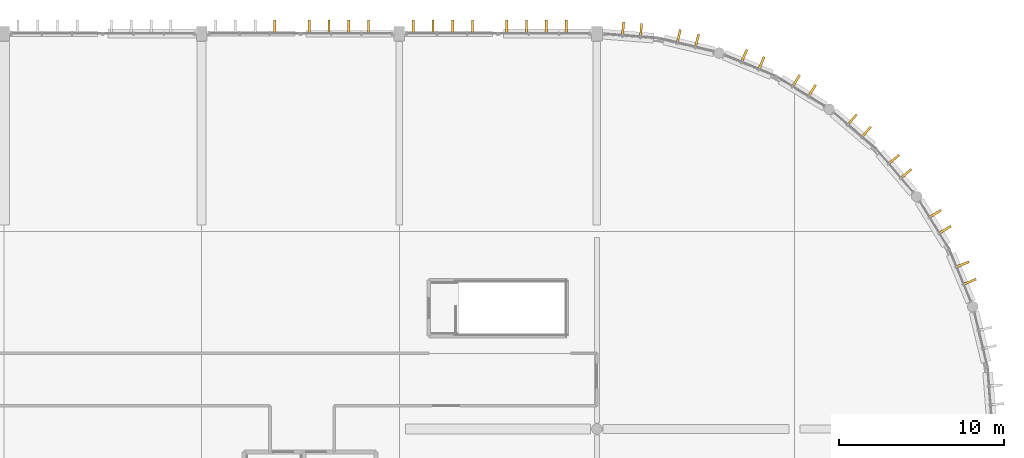
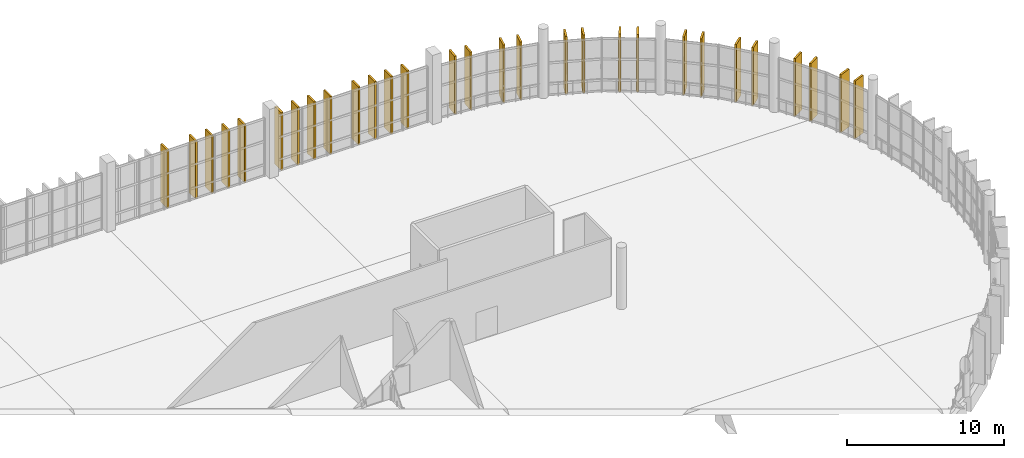
# One storey, part 112 of 112: 29 coverings.
"""IFC4 building model written with IfcOpenShell, lengths in metres."""

from ifc_helpers import new_model, si_unit, direction, frame, origin, origin_2d, place, context, subcontext, project, spatial, rectangle, extrude, material, layer, layer_set, type_object, element, save


model = new_model("IFC4")

# Units and contexts
model_context = context("Model", 3, precision=1e-05, world=origin(), true_north=direction((0.0, 1.0)))
body_context = subcontext(model_context, "Body", "Model", "MODEL_VIEW")
ifc_project = project(units=[si_unit("LENGTHUNIT", "METRE"), si_unit("AREAUNIT", "SQUARE_METRE"), si_unit("VOLUMEUNIT", "CUBIC_METRE"), si_unit("PLANEANGLEUNIT", "RADIAN"), si_unit("MASSUNIT", "GRAM", prefix="KILO")], contexts=[model_context])

# Site, building, storey
site_placement = place(None, origin())
site = spatial("IfcSite", under=ifc_project, at=site_placement, CompositionType="ELEMENT")
building_placement = place(site_placement, origin())
building = spatial("IfcBuilding", under=site, at=building_placement, Name="Kamomehara Wholesale Market", CompositionType="ELEMENT")
storey_placement = place(building_placement, frame((0.0, 0.0, 6.60009765625)))
storey = spatial("IfcBuildingStorey", under=building, at=storey_placement, Name="L01", CompositionType="ELEMENT", Elevation=6.60009765625)

# Coverings
ifc_material_1 = material(Name="Anodised aluminium 6063-T5 Spectrum Red", Category="aluminium")
ifc_layer_1 = layer(ifc_material_1, 0.134033203125)
ifc_layer_set_1 = layer_set([ifc_layer_1], Name="Anodised aluminium 6063-T5 Spectrum Red")
covering_type_1 = type_object("IfcCoveringType", Name="COV-CLD-01", PredefinedType="CLADDING", material=ifc_layer_set_1)
for number, where, z_axis, x_axis, name in (
    (1, (163.72998046875, 156.405029296875, 0.0), (0.0, 0.0, 1.0), (1.0, 0.0, 0.0), "Polychrome spectrum fin N 134"),
    (2, (172.449951171875, 156.405029296875, 0.0), (0.0, 0.0, 1.0), (1.0, 0.0, 0.0), "Polychrome spectrum fin N 148"),
    (3, (182.680908203125, 156.196044921875, 0.0), (0.0, 0.0, 1.0), (0.99692691188, -0.078337298714, 0.0), "Apse radial spectrum fin 162"),
    (4, (195.491943359375, 150.76611328125, 0.0), (0.0, 0.0, 1.0), (0.760553301114, -0.649275500974, 0.0), "Apse radial spectrum fin 169"),
    (5, (202.635009765625, 140.93505859375, 0.0), (0.0, 0.0, 1.0), (0.382570556331, -0.923926279217, 0.0), "Apse radial spectrum fin 176"),
):
    element("IfcCovering", number, at=place(storey_placement, frame(where, z_axis=z_axis, x_axis=x_axis)), inside=storey, type_object=covering_type_1, Name=name, PredefinedType="CLADDING", context=body_context, shape_type="SweptSolid", body=[
        extrude(rectangle(XDim=0.134033203125, YDim=0.85009765625, at=origin_2d()), origin(), (0.0, 0.0, 1.0), 4.5),
    ])
ifc_material_2 = material(Name="Anodised aluminium 6063-T5 Spectrum Orange", Category="aluminium")
ifc_layer_2 = layer(ifc_material_2, 0.135986328125)
ifc_layer_set_2 = layer_set([ifc_layer_2], Name="Anodised aluminium 6063-T5 Spectrum Orange")
covering_type_2 = type_object("IfcCoveringType", Name="COV-CLD-02", PredefinedType="CLADDING", material=ifc_layer_set_2)
for number, where, z_axis, x_axis, name in (
    (6, (164.929931640625, 156.405029296875, 0.0), (0.0, 0.0, 1.0), (1.0, 0.0, 0.0), "Polychrome spectrum fin N 135"),
    (7, (174.530029296875, 156.405029296875, 0.0), (0.0, 0.0, 1.0), (1.0, 0.0, 0.0), "Polychrome spectrum fin N 149"),
    (8, (184.967041015625, 155.830078125, 0.0), (0.0, 0.0, 1.0), (0.972321006389, -0.233649011414, 0.0), "Apse radial spectrum fin 163"),
    (9, (196.35888671875, 150.02490234375, 0.0), (0.0, 0.0, 1.0), (0.760553301114, -0.649275500974, 0.0), "Apse radial spectrum fin 170"),
):
    element("IfcCovering", number, at=place(storey_placement, frame(where, z_axis=z_axis, x_axis=x_axis)), inside=storey, type_object=covering_type_2, Name=name, PredefinedType="CLADDING", context=body_context, shape_type="SweptSolid", body=[
        extrude(rectangle(XDim=0.135986328125, YDim=0.85009765625, at=origin_2d()), origin(), (0.0, 0.0, 1.0), 4.5),
    ])
ifc_material_3 = material(Name="Anodised aluminium 6063-T5 Spectrum Amber", Category="aluminium")
ifc_layer_3 = layer(ifc_material_3, 0.137939453125)
ifc_layer_set_3 = layer_set([ifc_layer_3], Name="Anodised aluminium 6063-T5 Spectrum Amber")
covering_type_3 = type_object("IfcCoveringType", Name="COV-CLD-03", PredefinedType="CLADDING", material=ifc_layer_set_3)
for number, where, z_axis, x_axis, name in (
    (10, (166.1298828125, 156.405029296875, 0.0), (0.0, 0.0, 1.0), (1.0, 0.0, 0.0), "Polychrome spectrum fin N 136"),
    (11, (175.72998046875, 156.405029296875, 0.0), (0.0, 0.0, 1.0), (1.0, 0.0, 0.0), "Polychrome spectrum fin N 150"),
    (12, (186.075927734375, 155.56298828125, 0.0), (0.0, 0.0, 1.0), (0.972321006389, -0.233649011414, 0.0), "Apse radial spectrum fin 164"),
    (13, (198.02490234375, 148.35888671875, 0.0), (0.0, 0.0, 1.0), (0.649275500974, -0.760553301114, 0.0), "Apse radial spectrum fin 171"),
):
    element("IfcCovering", number, at=place(storey_placement, frame(where, z_axis=z_axis, x_axis=x_axis)), inside=storey, type_object=covering_type_3, Name=name, PredefinedType="CLADDING", context=body_context, shape_type="SweptSolid", body=[
        extrude(rectangle(XDim=0.137939453125, YDim=0.85009765625, at=origin_2d()), origin(), (0.0, 0.0, 1.0), 4.5),
    ])
ifc_material_4 = material(Name="Anodised aluminium 6063-T5 Spectrum Green", Category="aluminium")
ifc_layer_4 = layer(ifc_material_4, 0.139892578125)
ifc_layer_set_4 = layer_set([ifc_layer_4], Name="Anodised aluminium 6063-T5 Spectrum Green")
covering_type_4 = type_object("IfcCoveringType", Name="COV-CLD-04", PredefinedType="CLADDING", material=ifc_layer_set_4)
for number, where, z_axis, x_axis, name in (
    (14, (176.929931640625, 156.405029296875, 0.0), (0.0, 0.0, 1.0), (1.0, 0.0, 0.0), "Polychrome spectrum fin N 151"),
    (15, (188.93505859375, 154.635009765625, 0.0), (0.0, 0.0, 1.0), (0.923926279217, -0.382570556331, 0.0), "Apse radial spectrum fin 165"),
    (16, (198.76611328125, 147.491943359375, 0.0), (0.0, 0.0, 1.0), (0.649275500974, -0.760553301114, 0.0), "Apse radial spectrum fin 172"),
):
    element("IfcCovering", number, at=place(storey_placement, frame(where, z_axis=z_axis, x_axis=x_axis)), inside=storey, type_object=covering_type_4, Name=name, PredefinedType="CLADDING", context=body_context, shape_type="SweptSolid", body=[
        extrude(rectangle(XDim=0.139892578125, YDim=0.85009765625, at=origin_2d()), origin(), (0.0, 0.0, 1.0), 4.5),
    ])
ifc_material_5 = material(Name="Anodised aluminium 6063-T5 Spectrum Cyan", Category="aluminium")
ifc_layer_5 = layer(ifc_material_5, 0.14208984375)
ifc_layer_set_5 = layer_set([ifc_layer_5], Name="Anodised aluminium 6063-T5 Spectrum Cyan")
covering_type_5 = type_object("IfcCoveringType", Name="COV-CLD-05", PredefinedType="CLADDING", material=ifc_layer_set_5)
for number, where, z_axis, x_axis, name in (
    (17, (168.85009765625, 156.405029296875, 0.0), (0.0, 0.0, 1.0), (1.0, 0.0, 0.0), "Polychrome spectrum fin N 145"),
    (18, (178.1298828125, 156.405029296875, 0.0), (0.0, 0.0, 1.0), (1.0, 0.0, 0.0), "Polychrome spectrum fin N 152"),
    (19, (189.988037109375, 154.198974609375, 0.0), (0.0, 0.0, 1.0), (0.923926279217, -0.382570556331, 0.0), "Apse radial spectrum fin 166"),
    (20, (200.531982421875, 145.06103515625, 0.0), (0.0, 0.0, 1.0), (0.522558088955, -0.852603684995, 0.0), "Apse radial spectrum fin 173"),
):
    element("IfcCovering", number, at=place(storey_placement, frame(where, z_axis=z_axis, x_axis=x_axis)), inside=storey, type_object=covering_type_5, Name=name, PredefinedType="CLADDING", context=body_context, shape_type="SweptSolid", body=[
        extrude(rectangle(XDim=0.14208984375, YDim=0.85009765625, at=origin_2d()), origin(), (0.0, 0.0, 1.0), 4.5),
    ])
ifc_material_6 = material(Name="Anodised aluminium 6063-T5 Spectrum Blue", Category="aluminium")
ifc_layer_6 = layer(ifc_material_6, 0.14404296875)
ifc_layer_set_6 = layer_set([ifc_layer_6], Name="Anodised aluminium 6063-T5 Spectrum Blue")
covering_type_6 = type_object("IfcCoveringType", Name="COV-CLD-06", PredefinedType="CLADDING", material=ifc_layer_set_6)
for number, where, z_axis, x_axis, name in (
    (21, (160.449951171875, 156.405029296875, 0.0), (0.0, 0.0, 1.0), (1.0, 0.0, 0.0), "Polychrome spectrum fin N 132"),
    (22, (170.050048828125, 156.405029296875, 0.0), (0.0, 0.0, 1.0), (1.0, 0.0, 0.0), "Polychrome spectrum fin N 146"),
    (23, (192.089111328125, 153.1279296875, 0.0), (0.0, 0.0, 1.0), (0.852603684995, -0.522558088955, 0.0), "Apse radial spectrum fin 167"),
    (24, (201.1279296875, 144.089111328125, 0.0), (0.0, 0.0, 1.0), (0.522558088955, -0.852603684995, 0.0), "Apse radial spectrum fin 174"),
):
    element("IfcCovering", number, at=place(storey_placement, frame(where, z_axis=z_axis, x_axis=x_axis)), inside=storey, type_object=covering_type_6, Name=name, PredefinedType="CLADDING", context=body_context, shape_type="SweptSolid", body=[
        extrude(rectangle(XDim=0.14404296875, YDim=0.85009765625, at=origin_2d()), origin(), (0.0, 0.0, 1.0), 4.5),
    ])
ifc_material_7 = material(Name="Anodised aluminium 6063-T5 Spectrum Violet", Category="aluminium")
ifc_layer_7 = layer(ifc_material_7, 0.14599609375)
ifc_layer_set_7 = layer_set([ifc_layer_7], Name="Anodised aluminium 6063-T5 Spectrum Violet")
covering_type_7 = type_object("IfcCoveringType", Name="COV-CLD-07", PredefinedType="CLADDING", material=ifc_layer_set_7)
for number, where, z_axis, x_axis, name in (
    (25, (162.530029296875, 156.405029296875, 0.0), (0.0, 0.0, 1.0), (1.0, 0.0, 0.0), "Polychrome spectrum fin N 133"),
    (26, (171.25, 156.405029296875, 0.0), (0.0, 0.0, 1.0), (1.0, 0.0, 0.0), "Polychrome spectrum fin N 147"),
    (27, (181.5859375, 156.281982421875, 0.0), (0.0, 0.0, 1.0), (0.99692691188, -0.078337298714, 0.0), "Apse radial spectrum fin 161"),
    (28, (193.06103515625, 152.531982421875, 0.0), (0.0, 0.0, 1.0), (0.852603684995, -0.522558088955, 0.0), "Apse radial spectrum fin 168"),
    (29, (202.198974609375, 141.988037109375, 0.0), (0.0, 0.0, 1.0), (0.382570556331, -0.923926279217, 0.0), "Apse radial spectrum fin 175"),
):
    element("IfcCovering", number, at=place(storey_placement, frame(where, z_axis=z_axis, x_axis=x_axis)), inside=storey, type_object=covering_type_7, Name=name, PredefinedType="CLADDING", context=body_context, shape_type="SweptSolid", body=[
        extrude(rectangle(XDim=0.14599609375, YDim=0.85009765625, at=origin_2d()), origin(), (0.0, 0.0, 1.0), 4.5),
    ])

save(model, "model.ifc")
